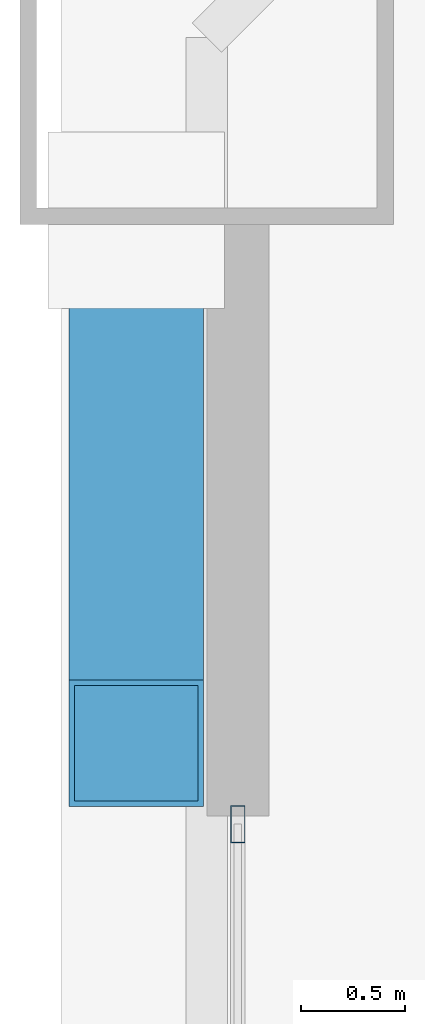
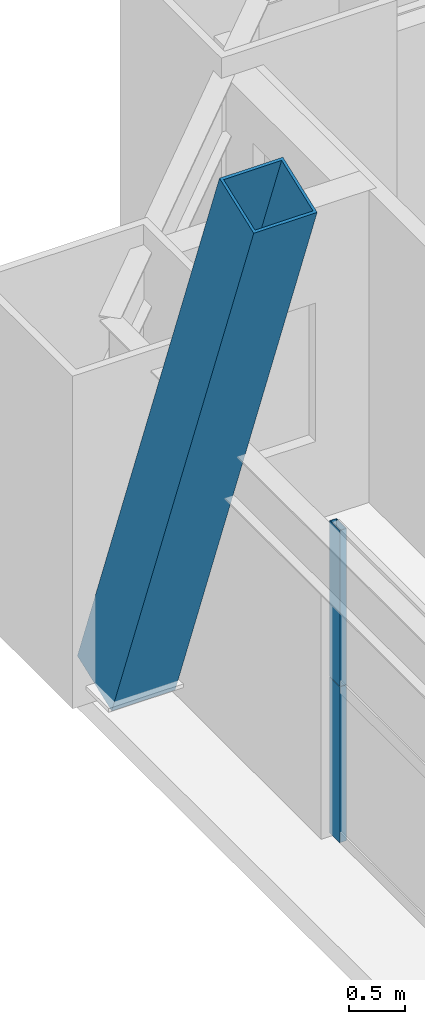
# One storey, part 24 of 43: 3 members, 1 element without a shape of its own.
"""IFC4 building model written with IfcOpenShell, lengths in metres."""

from ifc_helpers import new_model, si_unit, direction, frame, origin, origin_2d, place, context, subcontext, project, spatial, hollow_rectangle, extrude, source, transform, mapped, material, layer, layer_set, material_profile, profile_set, type_object, element, aggregate, save


model = new_model("IFC4")

# Units and contexts
model_context = context("Model", 3, precision=1e-05, world=origin(), true_north=direction((0.0, 1.0)))
body_context = subcontext(model_context, "Body", "Model", "MODEL_VIEW")
ifc_project = project(units=[si_unit("LENGTHUNIT", "METRE"), si_unit("AREAUNIT", "SQUARE_METRE"), si_unit("VOLUMEUNIT", "CUBIC_METRE"), si_unit("PLANEANGLEUNIT", "RADIAN"), si_unit("MASSUNIT", "GRAM", prefix="KILO"), si_unit("THERMODYNAMICTEMPERATUREUNIT", "KELVIN"), si_unit("POWERUNIT", "WATT")], contexts=[model_context])

# Site, building, storey
site_placement = place(None, origin())
site = spatial("IfcSite", under=ifc_project, at=site_placement, CompositionType="ELEMENT")
building_placement = place(site_placement, origin())
building = spatial("IfcBuilding", under=site, at=building_placement, Name="Yuzanri Waterfront Tower", CompositionType="ELEMENT")
storey_placement = place(building_placement, frame((0.0, 0.0, 46.0)))
storey = spatial("IfcBuildingStorey", under=building, at=storey_placement, Name="L11", CompositionType="ELEMENT", Elevation=46.0)

# Member
ifc_material_1 = material(Name="Steel Q420GJC", Category="steel")
ifc_material_profile_1 = material_profile(ifc_material_1, hollow_rectangle(XDim=0.64990234375, YDim=0.64990234375, WallThickness=0.028076171875, at=origin_2d()), Name="RHS 650x650x28")
ifc_profile_set_1 = profile_set([ifc_material_profile_1], Name="Steel Q420GJC")
member_type_1 = type_object("IfcMemberType", Name="Mega Brace Lower Q420GJC RHS 650x650x28", PredefinedType="BRACE", material=ifc_profile_set_1)
shared_shape_1 = source(origin(), body_context, "Body", "SweptSolid", [
    extrude(hollow_rectangle(XDim=0.64990234375, YDim=0.64990234375, WallThickness=0.028076171875, at=origin_2d()), origin(), (0.0, 0.0, 1.0), 7.158203125),
])
member_1_placement = place(storey_placement, frame((11.56005859375, 46.419921875, 0.179931640625), z_axis=(0.0, -0.352046480343, 0.935982518896), x_axis=(1.0, 0.0, 0.0)))
element("IfcMember", 1, at=member_1_placement, inside=storey, type_object=member_type_1, Name="L11-L12 Perimeter Mega-Brace W-R", PredefinedType="BRACE", context=body_context, shape_type="MappedRepresentation", body=[
    mapped(shared_shape_1, transform((0.0, 0.0, 0.0), scale=1.0)),
])

# Curtain wall, members
ifc_material_2 = material(Name="Anodized Architectural Bronze", Category="metal")
ifc_layer = layer(ifc_material_2, 0.159912109375)
ifc_layer_set = layer_set([ifc_layer], Name="Anodized Architectural Bronze")
curtain_wall_type = type_object("IfcCurtainWallType", Name="Anodized Bronze Hotel Lower-Tier Recessed Unitized Curtain Wall 8100", PredefinedType="NOTDEFINED", material=ifc_layer_set)
curtain_wall_placement = place(storey_placement, origin())
curtain_wall = element("IfcCurtainWall", 2, at=curtain_wall_placement, inside=storey, type_object=curtain_wall_type, Name="L11 Curtain Wall CW-L11-WR", PredefinedType="NOTDEFINED")
ifc_material_3 = material(Name="Anodized Architectural Bronze", Category="metal")
ifc_material_profile_2 = material_profile(ifc_material_3, hollow_rectangle(XDim=0.070068359375, YDim=0.179931640625, WallThickness=0.00390625, at=origin_2d()), Name="CWM 70x180")
ifc_profile_set_2 = profile_set([ifc_material_profile_2], Name="Anodized Architectural Bronze")
member_type_2 = type_object("IfcMemberType", Name="Anodized Bronze Standard Curtain-Wall Mullion 70x180", PredefinedType="MULLION", material=ifc_profile_set_2)
shared_shape_2 = source(origin(), body_context, "Body", "SweptSolid", [
    extrude(hollow_rectangle(XDim=0.070068359375, YDim=0.179931640625, WallThickness=0.00390625, at=origin_2d()), origin(), (0.0, 0.0, 1.0), 1.68798828125),
])
member_2_placement = place(storey_placement, frame((12.050048828125, 43.510009765625, 0.0), z_axis=(0.0, 0.0, 1.0), x_axis=(1.0, 0.0, 0.0)))
member_2 = element("IfcMember", 3, at=member_2_placement, type_object=member_type_2, Name="CW-L11-WR Lower Mullion 02", PredefinedType="MULLION", context=body_context, shape_type="MappedRepresentation", body=[
    mapped(shared_shape_2, transform((0.0, 0.0, 0.0), scale=1.0)),
])
member_3_placement = place(storey_placement, frame((12.050048828125, 43.510009765625, 1.69189453125), z_axis=(0.0, 0.0, 1.0), x_axis=(1.0, 0.0, 0.0)))
member_3 = element("IfcMember", 4, at=member_3_placement, type_object=member_type_2, Name="CW-L11-WR Upper Mullion 02", PredefinedType="MULLION", context=body_context, shape_type="MappedRepresentation", body=[
    mapped(shared_shape_2, transform((0.0, 0.0, 0.0), scale=1.0)),
])
aggregate(curtain_wall, [member_2, member_3])

save(model, "model.ifc")
